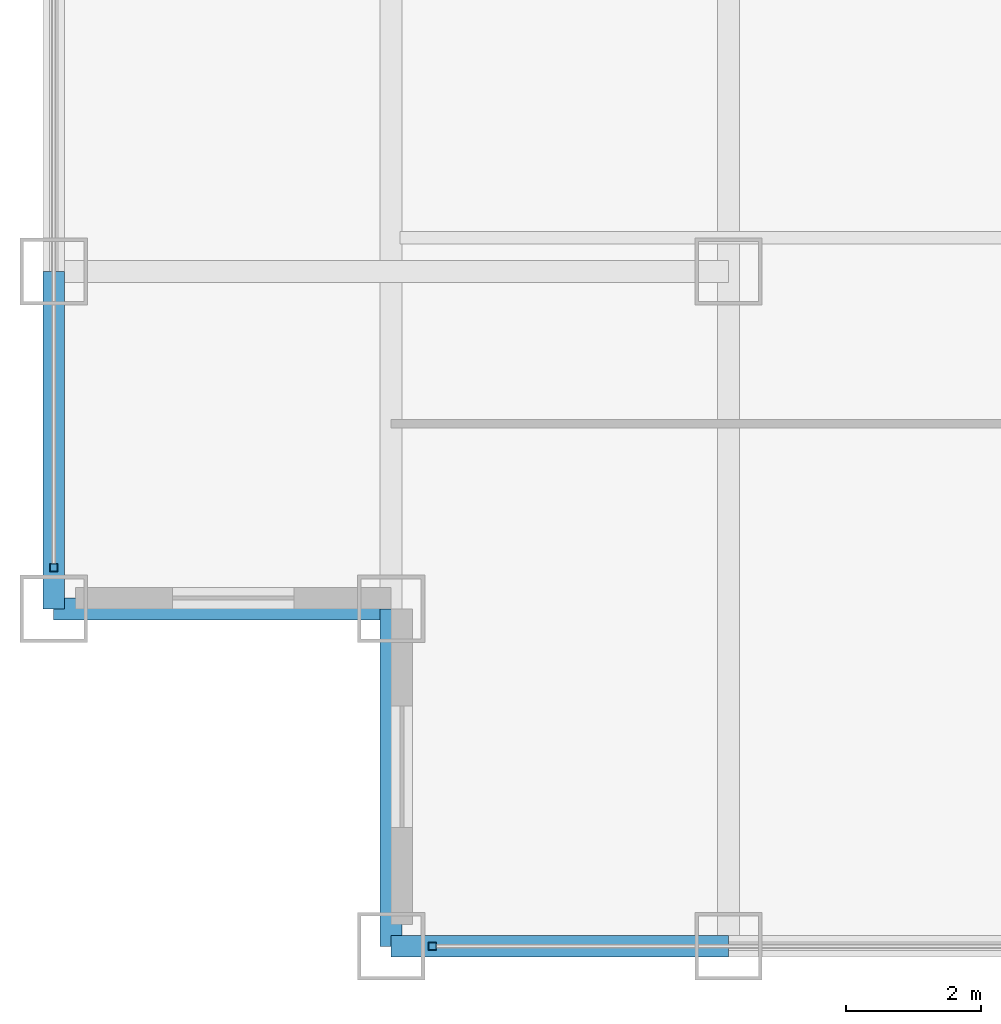
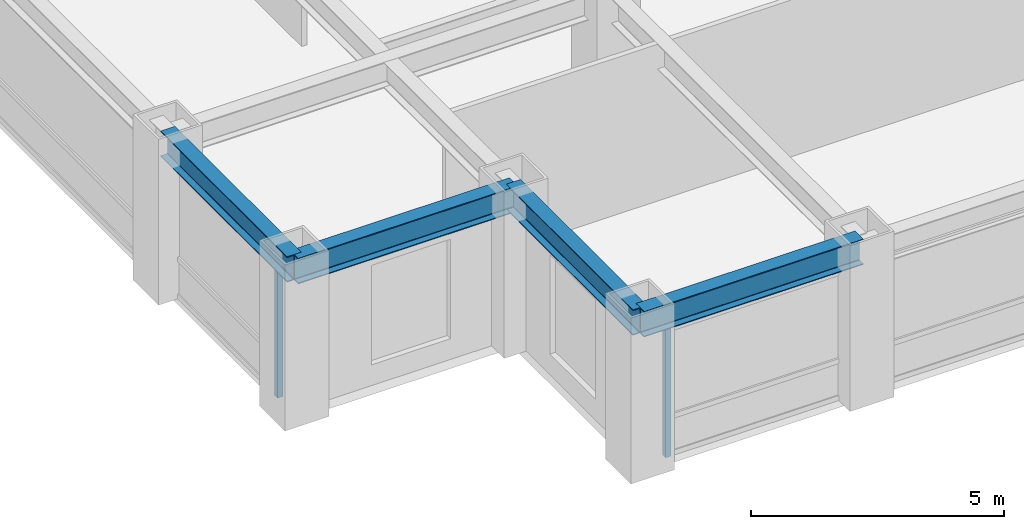
# One storey, part 2 of 24: 4 beams, 2 members, 2 elements without a shape of their own.
"""IFC4 building model written with IfcOpenShell, lengths in metres."""

from ifc_helpers import new_model, si_unit, direction, frame, origin, origin_2d, place, context, subcontext, project, spatial, hollow_rectangle, i_section, extrude, source, transform, mapped, material, material_profile, profile_set, type_object, element, aggregate, save


model = new_model("IFC4")

# Units and contexts
model_context = context("Model", 3, precision=1e-05, world=origin(), true_north=direction((0.0, 1.0)))
body_context = subcontext(model_context, "Body", "Model", "MODEL_VIEW")
ifc_project = project(units=[si_unit("LENGTHUNIT", "METRE"), si_unit("AREAUNIT", "SQUARE_METRE"), si_unit("VOLUMEUNIT", "CUBIC_METRE"), si_unit("PLANEANGLEUNIT", "RADIAN"), si_unit("MASSUNIT", "GRAM", prefix="KILO")], contexts=[model_context])

# Site, building, storey
site_placement = place(None, origin())
site = spatial("IfcSite", under=ifc_project, at=site_placement, CompositionType="ELEMENT")
building_placement = place(site_placement, origin())
building = spatial("IfcBuilding", under=site, at=building_placement, Name="Khorayat Bourse Tower", CompositionType="ELEMENT")
storey_placement = place(building_placement, frame((0.0, 0.0, 259.10009765625)))
storey = spatial("IfcBuildingStorey", under=building, at=storey_placement, Name="L61", CompositionType="ELEMENT", Elevation=259.10009765625)

# Beams
ifc_material_1 = material(Name="Steel ASTM A992 Grade 50", Category="steel")
ifc_material_profile_1 = material_profile(ifc_material_1, i_section(OverallWidth=0.324951171875, OverallDepth=0.615966796875, WebThickness=0.013916015625, FlangeThickness=0.021484375, FilletRadius=0.01611328125, at=origin_2d()), Name="W610X174")
ifc_profile_set_1 = profile_set([ifc_material_profile_1], Name="Steel ASTM A992 Grade 50")
beam_type = type_object("IfcBeamType", Name="BM-SPAN-610", PredefinedType="SPANDREL", material=ifc_profile_set_1)
shared_shape_1 = source(origin(), body_context, "Body", "SweptSolid", [
    extrude(i_section(OverallWidth=0.324951171875, OverallDepth=0.615966796875, WebThickness=0.013916015625, FlangeThickness=0.021484375, FilletRadius=0.01611328125, at=origin_2d()), origin(), (0.0, 0.0, 1.0), 5.0),
])
for number, where, z_axis, x_axis, name in (
    (1, (-25.0, -30.0, 3.471923828125), (1.0, 0.0, 0.0), (0.0, 1.0, 0.0), "L61 BM-SPAN-610 BM-L61-SPN-024"),
    (2, (-30.0, -25.0, 3.471923828125), (0.0, 1.0, 0.0), (-1.0, 0.0, 0.0), "L61 BM-SPAN-610 BM-L61-SPN-061"),
    (3, (-30.0, -25.0, 3.471923828125), (1.0, 0.0, 0.0), (0.0, 1.0, 0.0), "L61 BM-SPAN-610 BM-L61-SPN-062"),
    (4, (-25.0, -30.0, 3.471923828125), (0.0, 1.0, 0.0), (-1.0, 0.0, 0.0), "L61 BM-SPAN-610 BM-L61-SPN-063"),
):
    element("IfcBeam", number, at=place(storey_placement, frame(where, z_axis=z_axis, x_axis=x_axis)), inside=storey, type_object=beam_type, Name=name, PredefinedType="SPANDREL", context=body_context, shape_type="MappedRepresentation", body=[
        mapped(shared_shape_1, transform((0.0, 0.0, 0.0), scale=1.0)),
    ])

# Curtain wall, member
ifc_material_2 = material(Name="Aluminium EN AW-6063 T6", Category="aluminium")
curtain_wall_type = type_object("IfcCurtainWallType", Name="CW-SYS-03", PredefinedType="NOTDEFINED", material=ifc_material_2)
curtain_wall_1_placement = place(storey_placement, origin())
curtain_wall_1 = element("IfcCurtainWall", 5, at=curtain_wall_1_placement, inside=storey, type_object=curtain_wall_type, Name="L61 Curtain Wall CW-L61-S1", PredefinedType="NOTDEFINED")
ifc_material_profile_2 = material_profile(ifc_material_2, hollow_rectangle(XDim=0.1201171875, YDim=0.1201171875, WallThickness=0.0048828125, at=origin_2d()), Name="ALU 120x120x5")
ifc_profile_set_2 = profile_set([ifc_material_profile_2], Name="Aluminium EN AW-6063 T6")
member_type = type_object("IfcMemberType", Name="CWM-VERT-120", PredefinedType="MULLION", material=ifc_profile_set_2)
shared_shape_2 = source(origin(), body_context, "Body", "SweptSolid", [
    extrude(hollow_rectangle(XDim=0.1201171875, YDim=0.1201171875, WallThickness=0.0048828125, at=origin_2d()), origin(), (0.0, 0.0, 1.0), 3.1298828125),
])
member_1_placement = place(storey_placement, frame((-24.389892578125, -30.0, 0.0), z_axis=(0.0, 0.0, 1.0), x_axis=(0.0, 1.0, 0.0)))
member_1 = element("IfcMember", 6, at=member_1_placement, type_object=member_type, Name="CW-L61-S1 Vertical Mullion 1", PredefinedType="MULLION", context=body_context, shape_type="MappedRepresentation", body=[
    mapped(shared_shape_2, transform((0.0, 0.0, 0.0), scale=1.0)),
])
aggregate(curtain_wall_1, [member_1])

curtain_wall_2_placement = place(storey_placement, origin())
curtain_wall_2 = element("IfcCurtainWall", 7, at=curtain_wall_2_placement, inside=storey, type_object=curtain_wall_type, Name="L61 Curtain Wall CW-L61-W1", PredefinedType="NOTDEFINED")
member_2_placement = place(storey_placement, frame((-30.0, -24.389892578125, 0.0), z_axis=(0.0, 0.0, 1.0), x_axis=(-1.0, 0.0, 0.0)))
member_2 = element("IfcMember", 8, at=member_2_placement, type_object=member_type, Name="CW-L61-W1 Vertical Mullion 1", PredefinedType="MULLION", context=body_context, shape_type="MappedRepresentation", body=[
    mapped(shared_shape_2, transform((0.0, 0.0, 0.0), scale=1.0)),
])
aggregate(curtain_wall_2, [member_2])

save(model, "model.ifc")
